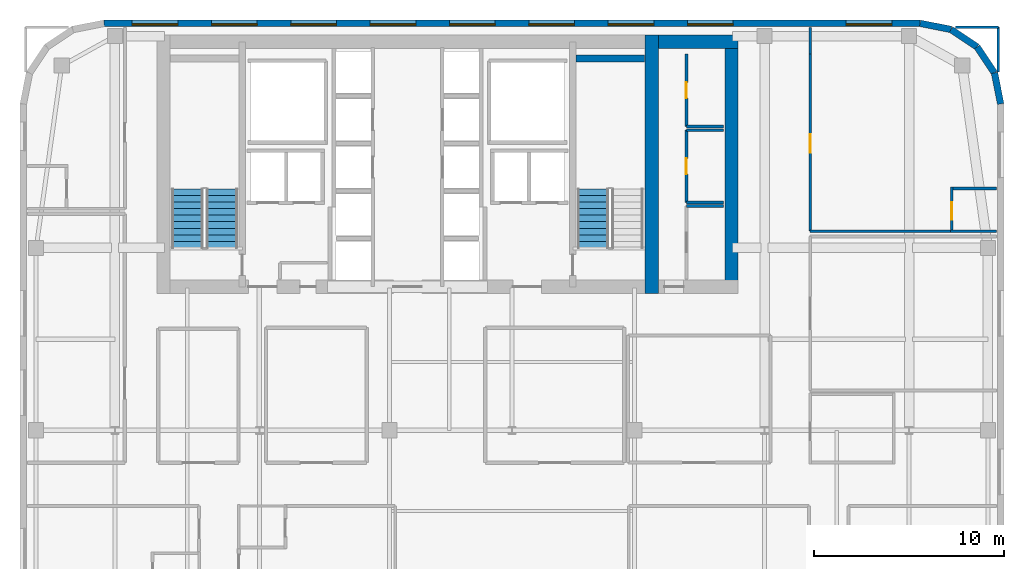
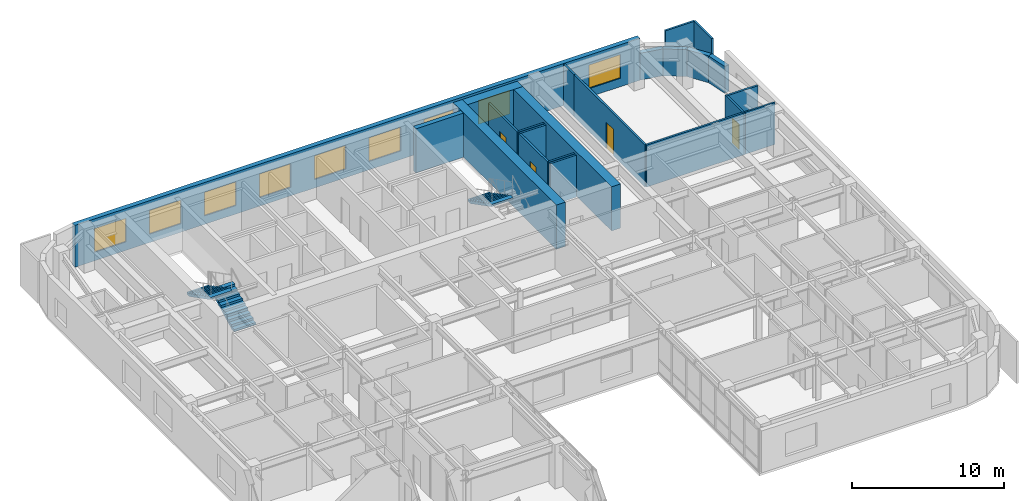
# One storey, part 12 of 14: 23 walls, 9 windows, 4 doors, 3 stair flights, 13 openings, 2 elements without a shape of their own.
"""IFC4 building model written with IfcOpenShell, lengths in metres."""

from ifc_helpers import new_model, si_unit, direction, frame, frame_2d, origin, place, context, subcontext, project, spatial, polyline, rectangle, outline, extrude, source, transform, mapped, material, layer, layer_set, type_object, type_shapes, element, fill, aggregate, save


model = new_model("IFC4")

# Units and contexts
model_context = context("Model", 3, precision=1e-05, world=origin(), true_north=direction((0.0, 1.0)))
body_context = subcontext(model_context, "Body", "Model", "MODEL_VIEW")
ifc_project = project(units=[si_unit("LENGTHUNIT", "METRE"), si_unit("AREAUNIT", "SQUARE_METRE"), si_unit("VOLUMEUNIT", "CUBIC_METRE"), si_unit("PLANEANGLEUNIT", "RADIAN"), si_unit("MASSUNIT", "GRAM", prefix="KILO")], contexts=[model_context])

# Site, building, storey
site_placement = place(None, origin())
site = spatial("IfcSite", under=ifc_project, at=site_placement, CompositionType="ELEMENT")
building_placement = place(site_placement, origin())
building = spatial("IfcBuilding", under=site, at=building_placement, Name="Tolvann Quenvar Hotel", CompositionType="ELEMENT")
storey_placement = place(building_placement, frame((0.0, 0.0, 187.550048828125)))
storey = spatial("IfcBuildingStorey", under=building, at=storey_placement, Name="L49", CompositionType="ELEMENT", Elevation=187.550048828125)

# Walls
ifc_material_1 = material(Name="Concrete S65 (65 MPa)", Category="concrete")
ifc_layer_1 = layer(ifc_material_1, 0.699951171875)
ifc_layer_set_1 = layer_set([ifc_layer_1], Name="Concrete S65 (65 MPa)")
wall_type_1 = type_object("IfcWallType", Name="WALL_CORE_700", PredefinedType="SHEAR", material=ifc_layer_set_1)
wall_1_placement = place(storey_placement, frame((35.85009765625, 31.60009765625, 0.0), z_axis=(0.0, 0.0, 1.0), x_axis=(0.0, 1.0, 0.0)))
element("IfcWall", 1, at=wall_1_placement, inside=storey, type_object=wall_type_1, Name="Rear Core E Shear Wall (L49)", PredefinedType="SHEAR", context=body_context, shape_type="SweptSolid", body=[
    extrude(rectangle(XDim=13.599853515625, YDim=0.699951171875, at=frame_2d((6.7998046875, 0.0))), origin(), (0.0, 0.0, 1.0), 3.550048828125),
])
wall_2_placement = place(storey_placement, frame((36.199951171875, 44.85009765625, 0.0), z_axis=(0.0, 0.0, 1.0), x_axis=(1.0, 0.0, 0.0)))
element("IfcWall", 2, at=wall_2_placement, inside=storey, type_object=wall_type_1, Name="Core East Annex Shear Wall ANN-N (L49)", PredefinedType="SHEAR", context=body_context, shape_type="SweptSolid", body=[
    extrude(rectangle(XDim=4.199951171875, YDim=0.699951171875, at=frame_2d((2.10009765625, 0.0))), origin(), (0.0, 0.0, 1.0), 3.550048828125),
])
wall_3_placement = place(storey_placement, frame((40.050048828125, 31.60009765625, 0.0), z_axis=(0.0, 0.0, 1.0), x_axis=(0.0, 1.0, 0.0)))
element("IfcWall", 3, at=wall_3_placement, inside=storey, type_object=wall_type_1, Name="Core East Annex Shear Wall ANN-E (L49)", PredefinedType="SHEAR", context=body_context, shape_type="SweptSolid", body=[
    extrude(rectangle(XDim=13.599853515625, YDim=0.699951171875, at=frame_2d((6.7998046875, 0.0))), origin(), (0.0, 0.0, 1.0), 3.550048828125),
])
ifc_layer_2 = layer(ifc_material_1, 0.35009765625)
ifc_layer_set_2 = layer_set([ifc_layer_2], Name="Concrete S65 (65 MPa)")
wall_type_2 = type_object("IfcWallType", Name="WALL_CORE_INT_350", PredefinedType="SHEAR", material=ifc_layer_set_2)
wall_4_placement = place(storey_placement, frame((31.8798828125, 43.97509765625, 0.0), z_axis=(0.0, 0.0, 1.0), x_axis=(1.0, 0.0, 0.0)))
element("IfcWall", 4, at=wall_4_placement, inside=storey, type_object=wall_type_2, Name="Core Stair North Closing Shear Wall STC2-N (L49)", PredefinedType="SHEAR", context=body_context, shape_type="SweptSolid", body=[
    extrude(rectangle(XDim=3.60009765625, YDim=0.35009765625, at=frame_2d((1.800048828125, 0.0))), origin(), (0.0, 0.0, 1.0), 3.550048828125),
])
ifc_material_2 = material(Name="Kiln-fired red and buff architectural clay brickwork and terracotta masonry", Category="masonry")
ifc_layer_3 = layer(ifc_material_2, 0.35009765625)
ifc_layer_set_3 = layer_set([ifc_layer_3], Name="Kiln-fired red and buff architectural clay brickwork and terracotta masonry")
wall_type_3 = type_object("IfcWallType", Name="WALL_EXT_BRICK_350", PredefinedType="SOLIDWALL", material=ifc_layer_set_3)
wall_5_placement = place(storey_placement, frame((54.22509765625, 41.582763671875, 0.0), z_axis=(0.0, 0.0, 1.0), x_axis=(-0.195044345786, 0.980794424524, 0.0)))
element("IfcWall", 5, at=wall_5_placement, inside=storey, type_object=wall_type_3, Name="Exterior Chicago Brick Wall L49-E14", PredefinedType="SOLIDWALL", context=body_context, shape_type="SweptSolid", body=[
    extrude(rectangle(XDim=1.664794921875, YDim=0.35009765625, at=frame_2d((0.83251953125, 0.0))), origin(), (0.0, 0.0, 1.0), 2.159912109375),
])
for number, where, z_axis, x_axis, name in (
    (6, (53.900390625, 43.215576171875, 0.0), (0.0, 0.0, 1.0), (-0.555623290322, 0.831434158098, 0.0), "Exterior Chicago Brick Wall L49-E15"),
    (7, (52.985107421875, 44.585205078125, 0.0), (0.0, 0.0, 1.0), (-0.831502623162, 0.555520825599, 0.0), "Exterior Chicago Brick Wall L49-E16"),
):
    element("IfcWall", number, at=place(storey_placement, frame(where, z_axis=z_axis, x_axis=x_axis)), inside=storey, type_object=wall_type_3, Name=name, PredefinedType="SOLIDWALL", context=body_context, shape_type="SweptSolid", body=[
        extrude(rectangle(XDim=1.647216796875, YDim=0.35009765625, at=frame_2d((0.82373046875, 0.0))), origin(), (0.0, 0.0, 1.0), 2.159912109375),
    ])
wall_6_placement = place(storey_placement, frame((51.615478515625, 45.500244140625, 0.0), z_axis=(0.0, 0.0, 1.0), x_axis=(-0.980788844421, 0.195072403631, 0.0)))
element("IfcWall", 8, at=wall_6_placement, inside=storey, type_object=wall_type_3, Name="Exterior Chicago Brick Wall L49-E17", PredefinedType="SOLIDWALL", context=body_context, shape_type="SweptSolid", body=[
    extrude(rectangle(XDim=1.66455078125, YDim=0.35009765625, at=frame_2d((0.832275390625, 0.0))), origin(), (0.0, 0.0, 1.0), 2.159912109375),
])

# Wall, openings, windows
wall_7_placement = place(storey_placement, frame((49.98291015625, 45.824951171875, 0.0), z_axis=(0.0, 0.0, 1.0), x_axis=(-1.0, 0.0, 0.0)))
wall_7 = element("IfcWall", 9, at=wall_7_placement, inside=storey, type_object=wall_type_3, Name="Exterior Chicago Brick Wall L49-E18", PredefinedType="SOLIDWALL", context=body_context, shape_type="SweptSolid", body=[
    extrude(rectangle(XDim=42.9658203125, YDim=0.35009765625, at=frame_2d((21.48291015625, 0.0))), origin(), (0.0, 0.0, 1.0), 3.369873046875),
])
opening_1_placement = place(wall_7_placement, frame((1.488037109375, 0.0, 0.679931640625)))
opening_1 = element("IfcOpeningElement", 10, at=opening_1_placement, cuts=wall_7, Name="Opening W-01", PredefinedType="OPENING", context=body_context, shape_type="SweptSolid", body=[
    extrude(rectangle(XDim=2.39990234375, YDim=1.89990234375, at=frame_2d((1.199951171875, 0.949951171875))), frame((0.0, 0.18505859375, 0.0), z_axis=(0.0, -1.0, 0.0), x_axis=(1.0, 0.0, 0.0)), (0.0, 0.0, 1.0), 0.3701171875),
])
opening_2_placement = place(wall_7_placement, frame((9.841064453125, 0.0, 0.679931640625)))
opening_2 = element("IfcOpeningElement", 11, at=opening_2_placement, cuts=wall_7, Name="Opening W-01", PredefinedType="OPENING", context=body_context, shape_type="SweptSolid", body=[
    extrude(rectangle(XDim=2.39990234375, YDim=1.89990234375, at=frame_2d((1.199951171875, 0.949951171875))), frame((0.0, 0.18505859375, 0.0), z_axis=(0.0, -1.0, 0.0), x_axis=(1.0, 0.0, 0.0)), (0.0, 0.0, 1.0), 0.3701171875),
])
opening_3_placement = place(wall_7_placement, frame((14.01806640625, 0.0, 0.679931640625)))
opening_3 = element("IfcOpeningElement", 12, at=opening_3_placement, cuts=wall_7, Name="Opening W-01", PredefinedType="OPENING", context=body_context, shape_type="SweptSolid", body=[
    extrude(rectangle(XDim=2.39990234375, YDim=1.89990234375, at=frame_2d((1.199951171875, 0.949951171875))), frame((0.0, 0.18505859375, 0.0), z_axis=(0.0, -1.0, 0.0), x_axis=(1.0, 0.0, 0.0)), (0.0, 0.0, 1.0), 0.3701171875),
])
opening_4_placement = place(wall_7_placement, frame((18.195068359375, 0.0, 0.679931640625)))
opening_4 = element("IfcOpeningElement", 13, at=opening_4_placement, cuts=wall_7, Name="Opening W-01", PredefinedType="OPENING", context=body_context, shape_type="SweptSolid", body=[
    extrude(rectangle(XDim=2.39990234375, YDim=1.89990234375, at=frame_2d((1.199951171875, 0.949951171875))), frame((0.0, 0.18505859375, 0.0), z_axis=(0.0, -1.0, 0.0), x_axis=(1.0, 0.0, 0.0)), (0.0, 0.0, 1.0), 0.3701171875),
])
opening_5_placement = place(wall_7_placement, frame((22.37109375, 0.0, 0.679931640625)))
opening_5 = element("IfcOpeningElement", 14, at=opening_5_placement, cuts=wall_7, Name="Opening W-01", PredefinedType="OPENING", context=body_context, shape_type="SweptSolid", body=[
    extrude(rectangle(XDim=2.39990234375, YDim=1.89990234375, at=frame_2d((1.199951171875, 0.949951171875))), frame((0.0, 0.18505859375, 0.0), z_axis=(0.0, -1.0, 0.0), x_axis=(1.0, 0.0, 0.0)), (0.0, 0.0, 1.0), 0.3701171875),
])
opening_6_placement = place(wall_7_placement, frame((26.548095703125, 0.0, 0.679931640625)))
opening_6 = element("IfcOpeningElement", 15, at=opening_6_placement, cuts=wall_7, Name="Opening W-01", PredefinedType="OPENING", context=body_context, shape_type="SweptSolid", body=[
    extrude(rectangle(XDim=2.39990234375, YDim=1.89990234375, at=frame_2d((1.199951171875, 0.949951171875))), frame((0.0, 0.18505859375, 0.0), z_axis=(0.0, -1.0, 0.0), x_axis=(1.0, 0.0, 0.0)), (0.0, 0.0, 1.0), 0.3701171875),
])
opening_7_placement = place(wall_7_placement, frame((30.72412109375, 0.0, 0.679931640625)))
opening_7 = element("IfcOpeningElement", 16, at=opening_7_placement, cuts=wall_7, Name="Opening W-01", PredefinedType="OPENING", context=body_context, shape_type="SweptSolid", body=[
    extrude(rectangle(XDim=2.39990234375, YDim=1.89990234375, at=frame_2d((1.199951171875, 0.949951171875))), frame((0.0, 0.18505859375, 0.0), z_axis=(0.0, -1.0, 0.0), x_axis=(1.0, 0.0, 0.0)), (0.0, 0.0, 1.0), 0.3701171875),
])
opening_8_placement = place(wall_7_placement, frame((34.90087890625, 0.0, 0.679931640625)))
opening_8 = element("IfcOpeningElement", 17, at=opening_8_placement, cuts=wall_7, Name="Opening W-01", PredefinedType="OPENING", context=body_context, shape_type="SweptSolid", body=[
    extrude(rectangle(XDim=2.39990234375, YDim=1.89990234375, at=frame_2d((1.199951171875, 0.949951171875))), frame((0.0, 0.18505859375, 0.0), z_axis=(0.0, -1.0, 0.0), x_axis=(1.0, 0.0, 0.0)), (0.0, 0.0, 1.0), 0.3701171875),
])
opening_9_placement = place(wall_7_placement, frame((39.076904296875, 0.0, 0.679931640625)))
opening_9 = element("IfcOpeningElement", 18, at=opening_9_placement, cuts=wall_7, Name="Opening W-01", PredefinedType="OPENING", context=body_context, shape_type="SweptSolid", body=[
    extrude(rectangle(XDim=2.39990234375, YDim=1.89990234375, at=frame_2d((1.199951171875, 0.949951171875))), frame((0.0, 0.18505859375, 0.0), z_axis=(0.0, -1.0, 0.0), x_axis=(1.0, 0.0, 0.0)), (0.0, 0.0, 1.0), 0.3701171875),
])
ifc_material_3 = material(Name="Thermally broken bronze-anodised aluminium frame with double low-E glazing", Category="aluminium")
window_type = type_object("IfcWindowType", Name="WIN_CHI_2400x2050", PartitioningType="TRIPLE_PANEL_HORIZONTAL", PredefinedType="WINDOW", material=ifc_material_3)
shared_shape_1 = source(origin(), body_context, "Body", "SweptSolid", [
    extrude(rectangle(XDim=2.39990234375, YDim=1.89990234375, at=frame_2d((1.199951171875, 0.949951171875))), frame((0.0, 0.090087890625, 0.0), z_axis=(0.0, -1.0, 0.0), x_axis=(1.0, 0.0, 0.0)), (0.0, 0.0, 1.0), 0.06005859375),
])
type_shapes(window_type, [shared_shape_1])
window_1_placement = place(opening_1_placement, origin())
window_1 = element("IfcWindow", 19, at=window_1_placement, inside=storey, type_object=window_type, Name="Chicago Window W-01 (EW-L49-E18-W01)", OverallHeight=1.89990234375, OverallWidth=2.39990234375, PartitioningType="TRIPLE_PANEL_HORIZONTAL", PredefinedType="WINDOW", context=body_context, shape_type="MappedRepresentation", body=[
    mapped(shared_shape_1, transform((0.0, 0.0, 0.0), x_axis=(1.0, 0.0, 0.0), y_axis=(0.0, 1.0, 0.0), z_axis=(0.0, 0.0, 1.0), scale=1.0)),
])
fill(opening_1, window_1)
window_2_placement = place(opening_2_placement, origin())
window_2 = element("IfcWindow", 20, at=window_2_placement, inside=storey, type_object=window_type, Name="Chicago Window W-01 (EW-L49-E18-W02)", OverallHeight=1.89990234375, OverallWidth=2.39990234375, PartitioningType="TRIPLE_PANEL_HORIZONTAL", PredefinedType="WINDOW", context=body_context, shape_type="MappedRepresentation", body=[
    mapped(shared_shape_1, transform((0.0, 0.0, 0.0), x_axis=(1.0, 0.0, 0.0), y_axis=(0.0, 1.0, 0.0), z_axis=(0.0, 0.0, 1.0), scale=1.0)),
])
fill(opening_2, window_2)
window_3_placement = place(opening_3_placement, origin())
window_3 = element("IfcWindow", 21, at=window_3_placement, inside=storey, type_object=window_type, Name="Chicago Window W-01 (EW-L49-E18-W03)", OverallHeight=1.89990234375, OverallWidth=2.39990234375, PartitioningType="TRIPLE_PANEL_HORIZONTAL", PredefinedType="WINDOW", context=body_context, shape_type="MappedRepresentation", body=[
    mapped(shared_shape_1, transform((0.0, 0.0, 0.0), x_axis=(1.0, 0.0, 0.0), y_axis=(0.0, 1.0, 0.0), z_axis=(0.0, 0.0, 1.0), scale=1.0)),
])
fill(opening_3, window_3)
window_4_placement = place(opening_4_placement, origin())
window_4 = element("IfcWindow", 22, at=window_4_placement, inside=storey, type_object=window_type, Name="Chicago Window W-01 (EW-L49-E18-W04)", OverallHeight=1.89990234375, OverallWidth=2.39990234375, PartitioningType="TRIPLE_PANEL_HORIZONTAL", PredefinedType="WINDOW", context=body_context, shape_type="MappedRepresentation", body=[
    mapped(shared_shape_1, transform((0.0, 0.0, 0.0), x_axis=(1.0, 0.0, 0.0), y_axis=(0.0, 1.0, 0.0), z_axis=(0.0, 0.0, 1.0), scale=1.0)),
])
fill(opening_4, window_4)
window_5_placement = place(opening_5_placement, origin())
window_5 = element("IfcWindow", 23, at=window_5_placement, inside=storey, type_object=window_type, Name="Chicago Window W-01 (EW-L49-E18-W05)", OverallHeight=1.89990234375, OverallWidth=2.39990234375, PartitioningType="TRIPLE_PANEL_HORIZONTAL", PredefinedType="WINDOW", context=body_context, shape_type="MappedRepresentation", body=[
    mapped(shared_shape_1, transform((0.0, 0.0, 0.0), x_axis=(1.0, 0.0, 0.0), y_axis=(0.0, 1.0, 0.0), z_axis=(0.0, 0.0, 1.0), scale=1.0)),
])
fill(opening_5, window_5)
window_6_placement = place(opening_6_placement, origin())
window_6 = element("IfcWindow", 24, at=window_6_placement, inside=storey, type_object=window_type, Name="Chicago Window W-01 (EW-L49-E18-W06)", OverallHeight=1.89990234375, OverallWidth=2.39990234375, PartitioningType="TRIPLE_PANEL_HORIZONTAL", PredefinedType="WINDOW", context=body_context, shape_type="MappedRepresentation", body=[
    mapped(shared_shape_1, transform((0.0, 0.0, 0.0), x_axis=(1.0, 0.0, 0.0), y_axis=(0.0, 1.0, 0.0), z_axis=(0.0, 0.0, 1.0), scale=1.0)),
])
fill(opening_6, window_6)
window_7_placement = place(opening_7_placement, origin())
window_7 = element("IfcWindow", 25, at=window_7_placement, inside=storey, type_object=window_type, Name="Chicago Window W-01 (EW-L49-E18-W07)", OverallHeight=1.89990234375, OverallWidth=2.39990234375, PartitioningType="TRIPLE_PANEL_HORIZONTAL", PredefinedType="WINDOW", context=body_context, shape_type="MappedRepresentation", body=[
    mapped(shared_shape_1, transform((0.0, 0.0, 0.0), x_axis=(1.0, 0.0, 0.0), y_axis=(0.0, 1.0, 0.0), z_axis=(0.0, 0.0, 1.0), scale=1.0)),
])
fill(opening_7, window_7)
window_8_placement = place(opening_8_placement, origin())
window_8 = element("IfcWindow", 26, at=window_8_placement, inside=storey, type_object=window_type, Name="Chicago Window W-01 (EW-L49-E18-W08)", OverallHeight=1.89990234375, OverallWidth=2.39990234375, PartitioningType="TRIPLE_PANEL_HORIZONTAL", PredefinedType="WINDOW", context=body_context, shape_type="MappedRepresentation", body=[
    mapped(shared_shape_1, transform((0.0, 0.0, 0.0), x_axis=(1.0, 0.0, 0.0), y_axis=(0.0, 1.0, 0.0), z_axis=(0.0, 0.0, 1.0), scale=1.0)),
])
fill(opening_8, window_8)
window_9_placement = place(opening_9_placement, origin())
window_9 = element("IfcWindow", 27, at=window_9_placement, inside=storey, type_object=window_type, Name="Chicago Window W-01 (EW-L49-E18-W09)", OverallHeight=1.89990234375, OverallWidth=2.39990234375, PartitioningType="TRIPLE_PANEL_HORIZONTAL", PredefinedType="WINDOW", context=body_context, shape_type="MappedRepresentation", body=[
    mapped(shared_shape_1, transform((0.0, 0.0, 0.0), x_axis=(1.0, 0.0, 0.0), y_axis=(0.0, 1.0, 0.0), z_axis=(0.0, 0.0, 1.0), scale=1.0)),
])
fill(opening_9, window_9)

# Wall
ifc_material_4 = material(Name="Moisture-resistant acoustic plumbing wall assembly")
ifc_layer_4 = layer(ifc_material_4, 0.1201171875)
ifc_layer_set_4 = layer_set([ifc_layer_4], Name="Moisture-resistant acoustic plumbing wall assembly")
wall_type_4 = type_object("IfcWallType", Name="WALL_PART_BATH_120", PredefinedType="PLUMBINGWALL", material=ifc_layer_set_4)
wall_8_placement = place(storey_placement, frame((51.580078125, 34.8798828125, 0.0), z_axis=(0.0, 0.0, 1.0), x_axis=(1.0, 0.0, 0.0)))
element("IfcWall", 28, at=wall_8_placement, inside=storey, type_object=wall_type_4, Name="Non-Rated Plumbing Partition PT-SPC-L49-ENS-NE01-S", PredefinedType="PLUMBINGWALL", context=body_context, shape_type="SweptSolid", body=[
    extrude(rectangle(XDim=2.4150390625, YDim=0.1201171875, at=frame_2d((1.20751953125, 0.0))), origin(), (0.0, 0.0, 1.0), 3.369873046875),
])

# Wall, opening, door
ifc_material_5 = material(Name="Acoustic twin-stud fire-rated gypsum plasterboard partition")
ifc_layer_5 = layer(ifc_material_5, 0.14990234375)
ifc_layer_set_5 = layer_set([ifc_layer_5], Name="Acoustic twin-stud fire-rated gypsum plasterboard partition")
wall_type_5 = type_object("IfcWallType", Name="WALL_PART_SUITE_150", PredefinedType="PARTITIONING", material=ifc_layer_set_5)
wall_9_placement = place(storey_placement, frame((51.64990234375, 34.81005859375, 0.0), z_axis=(0.0, 0.0, 1.0), x_axis=(0.0, 1.0, 0.0)))
wall_9 = element("IfcWall", 29, at=wall_9_placement, inside=storey, type_object=wall_type_5, Name="Interior Partition PT-SPC-L49-ENS-NE01-ENT", PredefinedType="PARTITIONING", context=body_context, shape_type="SweptSolid", body=[
    extrude(rectangle(XDim=2.389892578125, YDim=0.14990234375, at=frame_2d((1.19482421875, 0.0))), origin(), (0.0, 0.0, 1.0), 3.369873046875),
])
opening_10_placement = place(wall_9_placement, frame((0.6650390625, 0.0, 0.0)))
opening_10 = element("IfcOpeningElement", 30, at=opening_10_placement, cuts=wall_9, Name="Opening WD-01", PredefinedType="OPENING", context=body_context, shape_type="SweptSolid", body=[
    extrude(rectangle(XDim=0.919921875, YDim=2.010009765625, at=frame_2d((0.4599609375, 1.0048828125))), frame((0.0, 0.0849609375, 0.0), z_axis=(0.0, -1.0, 0.0), x_axis=(1.0, 0.0, 0.0)), (0.0, 0.0, 1.0), 0.169921875),
])
ifc_material_6 = material(Name="Solid-core American oak acoustic fire door leaf in steel frame", Category="steel")
door_type_1 = type_object("IfcDoorType", Name="DOOR_WC_920", OperationType="NOTDEFINED", PredefinedType="DOOR", material=ifc_material_6)
shared_shape_2 = source(origin(), body_context, "Body", "SweptSolid", [
    extrude(rectangle(XDim=0.919921875, YDim=2.010009765625, at=frame_2d((0.4599609375, 1.0048828125))), frame((0.0, 0.02490234375, 0.0), z_axis=(0.0, -1.0, 0.0), x_axis=(1.0, 0.0, 0.0)), (0.0, 0.0, 1.0), 0.050048828125),
])
type_shapes(door_type_1, [shared_shape_2])
door_1_placement = place(opening_10_placement, origin())
door_1 = element("IfcDoor", 31, at=door_1_placement, inside=storey, type_object=door_type_1, Name="Interior Door DOOR-SPC-L49-ENS-NE01", OperationType="SINGLE_SWING_RIGHT", OverallHeight=2.010009765625, OverallWidth=0.919921875, PredefinedType="DOOR", context=body_context, shape_type="MappedRepresentation", body=[
    mapped(shared_shape_2, transform((0.0, 0.0, 0.0), x_axis=(1.0, 0.0, 0.0), y_axis=(0.0, 1.0, 0.0), z_axis=(0.0, 0.0, 1.0), scale=1.0)),
])
fill(opening_10, door_1)

# Walls
wall_10_placement = place(storey_placement, frame((51.580078125, 37.1298828125, 0.0), z_axis=(0.0, 0.0, 1.0), x_axis=(1.0, 0.0, 0.0)))
element("IfcWall", 32, at=wall_10_placement, inside=storey, type_object=wall_type_5, Name="Interior Partition PT-SPC-L49-ENS-NE01-N", PredefinedType="PARTITIONING", context=body_context, shape_type="SweptSolid", body=[
    extrude(rectangle(XDim=2.4150390625, YDim=0.14990234375, at=frame_2d((1.20751953125, 0.0))), origin(), (0.0, 0.0, 1.0), 3.369873046875),
])
for number, where, z_axis, x_axis, name in (
    (33, (37.679931640625, 36.199951171875, 0.0), (0.0, 0.0, 1.0), (1.0, 0.0, 0.0), "Interior Partition PT-SPC-L49-RECPL-1-N"),
    (34, (37.679931640625, 36.39990234375, 0.0), (0.0, 0.0, 1.0), (1.0, 0.0, 0.0), "Interior Partition PT-SPC-L49-CSE-1-S"),
    (35, (37.679931640625, 40.199951171875, 0.0), (0.0, 0.0, 1.0), (1.0, 0.0, 0.0), "Interior Partition PT-SPC-L49-CSE-1-N"),
):
    element("IfcWall", number, at=place(storey_placement, frame(where, z_axis=z_axis, x_axis=x_axis)), inside=storey, type_object=wall_type_5, Name=name, PredefinedType="PARTITIONING", context=body_context, shape_type="SweptSolid", body=[
        extrude(rectangle(XDim=1.965087890625, YDim=0.14990234375, at=frame_2d((0.982421875, 0.0))), origin(), (0.0, 0.0, 1.0), 3.369873046875),
    ])

# Wall, opening, door
wall_11_placement = place(storey_placement, frame((37.679931640625, 36.39990234375, 0.0), z_axis=(0.0, 0.0, 1.0), x_axis=(0.0, 1.0, 0.0)))
wall_11 = element("IfcWall", 36, at=wall_11_placement, inside=storey, type_object=wall_type_5, Name="Interior Partition PT-SPC-L49-CSE-1-W", PredefinedType="PARTITIONING", context=body_context, shape_type="SweptSolid", body=[
    extrude(rectangle(XDim=3.800048828125, YDim=0.14990234375, at=frame_2d((1.89990234375, 0.0))), origin(), (0.0, 0.0, 1.0), 3.369873046875),
])
opening_11_placement = place(wall_11_placement, frame((1.489990234375, 0.0, 0.0)))
opening_11 = element("IfcOpeningElement", 37, at=opening_11_placement, cuts=wall_11, Name="Opening HD-02", PredefinedType="OPENING", context=body_context, shape_type="SweptSolid", body=[
    extrude(rectangle(XDim=0.820068359375, YDim=2.010009765625, at=frame_2d((0.41015625, 1.0048828125))), frame((0.0, 0.0849609375, 0.0), z_axis=(0.0, -1.0, 0.0), x_axis=(1.0, 0.0, 0.0)), (0.0, 0.0, 1.0), 0.169921875),
])
ifc_material_7 = material(Name="Pressed galvanised steel fire-rated door set", Category="steel")
door_type_2 = type_object("IfcDoorType", Name="DOOR_STORE_820", OperationType="NOTDEFINED", PredefinedType="DOOR", material=ifc_material_7)
shared_shape_3 = source(origin(), body_context, "Body", "SweptSolid", [
    extrude(rectangle(XDim=0.820068359375, YDim=2.010009765625, at=frame_2d((0.41015625, 1.0048828125))), frame((0.0, 0.02490234375, 0.0), z_axis=(0.0, -1.0, 0.0), x_axis=(1.0, 0.0, 0.0)), (0.0, 0.0, 1.0), 0.050048828125),
])
type_shapes(door_type_2, [shared_shape_3])
door_2_placement = place(opening_11_placement, origin())
door_2 = element("IfcDoor", 38, at=door_2_placement, inside=storey, type_object=door_type_2, Name="Interior Door DOOR-SPC-L49-CSE-1", OperationType="SINGLE_SWING_RIGHT", OverallHeight=2.010009765625, OverallWidth=0.820068359375, PredefinedType="DOOR", context=body_context, shape_type="MappedRepresentation", body=[
    mapped(shared_shape_3, transform((0.0, 0.0, 0.0), x_axis=(1.0, 0.0, 0.0), y_axis=(0.0, 1.0, 0.0), z_axis=(0.0, 0.0, 1.0), scale=1.0)),
])
fill(opening_11, door_2)

# Wall
wall_12_placement = place(storey_placement, frame((37.679931640625, 40.39990234375, 0.0), z_axis=(0.0, 0.0, 1.0), x_axis=(1.0, 0.0, 0.0)))
element("IfcWall", 39, at=wall_12_placement, inside=storey, type_object=wall_type_5, Name="Interior Partition PT-SPC-L49-CSE-2-S", PredefinedType="PARTITIONING", context=body_context, shape_type="SweptSolid", body=[
    extrude(rectangle(XDim=1.965087890625, YDim=0.14990234375, at=frame_2d((0.982421875, 0.0))), origin(), (0.0, 0.0, 1.0), 3.369873046875),
])

# Wall, opening, door
wall_13_placement = place(storey_placement, frame((37.679931640625, 40.39990234375, 0.0), z_axis=(0.0, 0.0, 1.0), x_axis=(0.0, 1.0, 0.0)))
wall_13 = element("IfcWall", 40, at=wall_13_placement, inside=storey, type_object=wall_type_5, Name="Interior Partition PT-SPC-L49-CSE-2-W", PredefinedType="PARTITIONING", context=body_context, shape_type="SweptSolid", body=[
    extrude(rectangle(XDim=3.800048828125, YDim=0.14990234375, at=frame_2d((1.89990234375, 0.0))), origin(), (0.0, 0.0, 1.0), 3.369873046875),
])
opening_12_placement = place(wall_13_placement, frame((1.489990234375, 0.0, 0.0)))
opening_12 = element("IfcOpeningElement", 41, at=opening_12_placement, cuts=wall_13, Name="Opening HD-02", PredefinedType="OPENING", context=body_context, shape_type="SweptSolid", body=[
    extrude(rectangle(XDim=0.820068359375, YDim=2.010009765625, at=frame_2d((0.41015625, 1.0048828125))), frame((0.0, 0.0849609375, 0.0), z_axis=(0.0, -1.0, 0.0), x_axis=(1.0, 0.0, 0.0)), (0.0, 0.0, 1.0), 0.169921875),
])
door_3_placement = place(opening_12_placement, origin())
door_3 = element("IfcDoor", 42, at=door_3_placement, inside=storey, type_object=door_type_2, Name="Interior Door DOOR-SPC-L49-CSE-2", OperationType="SINGLE_SWING_LEFT", OverallHeight=2.010009765625, OverallWidth=0.820068359375, PredefinedType="DOOR", context=body_context, shape_type="MappedRepresentation", body=[
    mapped(shared_shape_3, transform((0.0, 0.0, 0.0), x_axis=(1.0, 0.0, 0.0), y_axis=(0.0, 1.0, 0.0), z_axis=(0.0, 0.0, 1.0), scale=1.0)),
])
fill(opening_12, door_3)

wall_14_placement = place(storey_placement, frame((44.199951171875, 34.8798828125, 0.0), z_axis=(0.0, 0.0, 1.0), x_axis=(0.0, 1.0, 0.0)))
wall_14 = element("IfcWall", 43, at=wall_14_placement, inside=storey, type_object=wall_type_5, Name="Interior Partition PT-SPC-L49-RM-NE01-ENT", PredefinedType="PARTITIONING", context=body_context, shape_type="SweptSolid", body=[
    extrude(rectangle(XDim=9.330078125, YDim=0.14990234375, at=frame_2d((4.6650390625, 0.0))), origin(), (0.0, 0.0, 1.0), 3.369873046875),
])
opening_13_placement = place(wall_14_placement, frame((4.1201171875, 0.0, 0.0)))
opening_13 = element("IfcOpeningElement", 44, at=opening_13_placement, cuts=wall_14, Name="Opening SD-01", PredefinedType="OPENING", context=body_context, shape_type="SweptSolid", body=[
    extrude(rectangle(XDim=0.97998046875, YDim=2.1201171875, at=frame_2d((0.489990234375, 1.06005859375))), frame((0.0, 0.0849609375, 0.0), z_axis=(0.0, -1.0, 0.0), x_axis=(1.0, 0.0, 0.0)), (0.0, 0.0, 1.0), 0.169921875),
])
door_type_3 = type_object("IfcDoorType", Name="DOOR_SUITE_980", OperationType="NOTDEFINED", PredefinedType="DOOR", material=ifc_material_6)
shared_shape_4 = source(origin(), body_context, "Body", "SweptSolid", [
    extrude(rectangle(XDim=0.97998046875, YDim=2.1201171875, at=frame_2d((0.489990234375, 1.06005859375))), frame((0.0, 0.02490234375, 0.0), z_axis=(0.0, -1.0, 0.0), x_axis=(1.0, 0.0, 0.0)), (0.0, 0.0, 1.0), 0.050048828125),
])
type_shapes(door_type_3, [shared_shape_4])
door_4_placement = place(opening_13_placement, origin())
door_4 = element("IfcDoor", 45, at=door_4_placement, inside=storey, type_object=door_type_3, Name="Interior Door DOOR-SPC-L49-RM-NE01", OperationType="SINGLE_SWING_RIGHT", OverallHeight=2.1201171875, OverallWidth=0.97998046875, PredefinedType="DOOR", context=body_context, shape_type="MappedRepresentation", body=[
    mapped(shared_shape_4, transform((0.0, 0.0, 0.0), x_axis=(1.0, 0.0, 0.0), y_axis=(0.0, 1.0, 0.0), z_axis=(0.0, 0.0, 1.0), scale=1.0)),
])
fill(opening_13, door_4)

# Walls
wall_15_placement = place(storey_placement, frame((44.199951171875, 34.8798828125, 0.0), z_axis=(0.0, 0.0, 1.0), x_axis=(1.0, 0.0, 0.0)))
element("IfcWall", 46, at=wall_15_placement, inside=storey, type_object=wall_type_5, Name="Interior Partition PT-SPC-L49-RM-NE01-E1", PredefinedType="PARTITIONING", context=body_context, shape_type="SweptSolid", body=[
    extrude(rectangle(XDim=7.429931640625, YDim=0.14990234375, at=frame_2d((3.71484375, 0.0))), origin(), (0.0, 0.0, 1.0), 3.369873046875),
])
wall_16_placement = place(storey_placement, frame((54.10009765625, 43.2548828125, 0.0), z_axis=(0.0, 0.0, 1.0), x_axis=(0.0, 1.0, 0.0)))
element("IfcWall", 47, at=wall_16_placement, inside=storey, type_object=wall_type_5, Name="Interior Partition PT-SPC-L49-RM-NE01-E4", PredefinedType="PARTITIONING", context=body_context, shape_type="SweptSolid", body=[
    extrude(rectangle(XDim=2.365234375, YDim=0.14990234375, at=frame_2d((1.1826171875, 0.0))), origin(), (0.0, 0.0, 1.0), 3.369873046875),
])
wall_17_placement = place(storey_placement, frame((51.85009765625, 45.6201171875, 0.0), z_axis=(0.0, 0.0, 1.0), x_axis=(1.0, 0.0, 0.0)))
element("IfcWall", 48, at=wall_17_placement, inside=storey, type_object=wall_type_5, Name="Interior Partition PT-SPC-L49-RM-NE01-E5", PredefinedType="PARTITIONING", context=body_context, shape_type="SweptSolid", body=[
    extrude(rectangle(XDim=2.25, YDim=0.14990234375, at=frame_2d((1.125, 0.0))), origin(), (0.0, 0.0, 1.0), 3.369873046875),
])
wall_18_placement = place(storey_placement, frame((44.199951171875, 44.219970703125, 0.0), z_axis=(0.0, 0.0, 1.0), x_axis=(0.0, 1.0, 0.0)))
element("IfcWall", 49, at=wall_18_placement, inside=storey, type_object=wall_type_5, Name="Interior Partition PT-SPC-L49-RM-NE01-E6", PredefinedType="PARTITIONING", context=body_context, shape_type="SweptSolid", body=[
    extrude(rectangle(XDim=1.375, YDim=0.14990234375, at=frame_2d((0.6875, 0.0))), origin(), (0.0, 0.0, 1.0), 3.369873046875),
])

# Stair, stair flights
ifc_material_8 = material(Name="Concrete N40 (40 MPa)", Category="concrete")
stair_type = type_object("IfcStairType", Name="STAIR", PredefinedType="HALF_TURN_STAIR", material=ifc_material_8)
stair_1_placement = place(storey_placement, origin())
stair_1 = element("IfcStair", 50, at=stair_1_placement, inside=storey, type_object=stair_type, Name="L49 ST-C1", PredefinedType="HALF_TURN_STAIR")
stair_flight_type = type_object("IfcStairFlightType", Name="STAIR_FLIGHT", PredefinedType="STRAIGHT", material=ifc_material_8)
stair_flight_1_placement = place(storey_placement, frame((13.22509765625, 34.0, 0.0), z_axis=(0.0, 0.0, 1.0), x_axis=(0.0, 1.0, 0.0)))
stair_flight_1 = element("IfcStairFlight", 51, at=stair_flight_1_placement, type_object=stair_flight_type, Name="ST-C1 flight 1", NumberOfRisers=10, NumberOfTreads=9, PredefinedType="STRAIGHT", RiserHeight=0.1775, TreadLength=0.345, context=body_context, shape_type="SweptSolid", body=[
    extrude(outline(polyline([(0.0, 0.0), (0.0, 0.177490234375), (0.344970703125, 0.177490234375), (0.344970703125, 0.35498046875), (0.68994140625, 0.35498046875), (0.68994140625, 0.532470703125), (1.034912109375, 0.532470703125), (1.034912109375, 0.7099609375), (1.3798828125, 0.7099609375), (1.3798828125, 0.887451171875), (1.72509765625, 0.887451171875), (1.72509765625, 1.06494140625), (2.070068359375, 1.06494140625), (2.070068359375, 1.242431640625), (2.4150390625, 1.242431640625), (2.4150390625, 1.419921875), (2.760009765625, 1.419921875), (2.760009765625, 1.597412109375), (3.10498046875, 1.597412109375), (3.10498046875, 1.77490234375), (3.10498046875, 1.428955078125), (0.32763671875, 0.0), (0.0, 0.0)])), frame((0.0, 0.824951171875, 0.0), z_axis=(0.0, -1.0, 0.0), x_axis=(1.0, 0.0, 0.0)), (0.0, 0.0, 1.0), 1.64990234375),
])
stair_flight_2_placement = place(storey_placement, frame((11.425048828125, 37.10498046875, 1.77490234375), z_axis=(0.0, 0.0, 1.0), x_axis=(0.0, -1.0, 0.0)))
stair_flight_2 = element("IfcStairFlight", 52, at=stair_flight_2_placement, type_object=stair_flight_type, Name="ST-C1 flight 2", NumberOfRisers=10, NumberOfTreads=9, PredefinedType="STRAIGHT", RiserHeight=0.1775, TreadLength=0.345, context=body_context, shape_type="SweptSolid", body=[
    extrude(outline(polyline([(0.0, 0.0), (0.0, 0.177490234375), (0.344970703125, 0.177490234375), (0.344970703125, 0.35498046875), (0.68994140625, 0.35498046875), (0.68994140625, 0.532470703125), (1.034912109375, 0.532470703125), (1.034912109375, 0.7099609375), (1.3798828125, 0.7099609375), (1.3798828125, 0.887451171875), (1.72509765625, 0.887451171875), (1.72509765625, 1.06494140625), (2.070068359375, 1.06494140625), (2.070068359375, 1.242431640625), (2.4150390625, 1.242431640625), (2.4150390625, 1.419921875), (2.760009765625, 1.419921875), (2.760009765625, 1.597412109375), (3.10498046875, 1.597412109375), (3.10498046875, 1.77490234375), (3.10498046875, 1.428955078125), (0.32763671875, 0.0), (0.0, 0.0)])), frame((0.0, 0.824951171875, 0.0), z_axis=(0.0, -1.0, 0.0), x_axis=(1.0, 0.0, 0.0)), (0.0, 0.0, 1.0), 1.64990234375),
])
aggregate(stair_1, [stair_flight_1, stair_flight_2])

# Stair, stair flight
stair_2_placement = place(storey_placement, origin())
stair_2 = element("IfcStair", 53, at=stair_2_placement, inside=storey, type_object=stair_type, Name="L49 ST-C2", PredefinedType="HALF_TURN_STAIR")
stair_flight_3_placement = place(storey_placement, frame((32.77490234375, 37.10498046875, 1.77490234375), z_axis=(0.0, 0.0, 1.0), x_axis=(0.0, -1.0, 0.0)))
stair_flight_3 = element("IfcStairFlight", 54, at=stair_flight_3_placement, type_object=stair_flight_type, Name="ST-C2 flight 2", NumberOfRisers=10, NumberOfTreads=9, PredefinedType="STRAIGHT", RiserHeight=0.1775, TreadLength=0.345, context=body_context, shape_type="SweptSolid", body=[
    extrude(outline(polyline([(0.0, 0.0), (0.0, 0.177490234375), (0.344970703125, 0.177490234375), (0.344970703125, 0.35498046875), (0.68994140625, 0.35498046875), (0.68994140625, 0.532470703125), (1.034912109375, 0.532470703125), (1.034912109375, 0.7099609375), (1.3798828125, 0.7099609375), (1.3798828125, 0.887451171875), (1.72509765625, 0.887451171875), (1.72509765625, 1.06494140625), (2.070068359375, 1.06494140625), (2.070068359375, 1.242431640625), (2.4150390625, 1.242431640625), (2.4150390625, 1.419921875), (2.760009765625, 1.419921875), (2.760009765625, 1.597412109375), (3.10498046875, 1.597412109375), (3.10498046875, 1.77490234375), (3.10498046875, 1.428955078125), (0.32763671875, 0.0), (0.0, 0.0)])), frame((0.0, 0.824951171875, 0.0), z_axis=(0.0, -1.0, 0.0), x_axis=(1.0, 0.0, 0.0)), (0.0, 0.0, 1.0), 1.64990234375),
])
aggregate(stair_2, [stair_flight_3])

save(model, "model.ifc")
